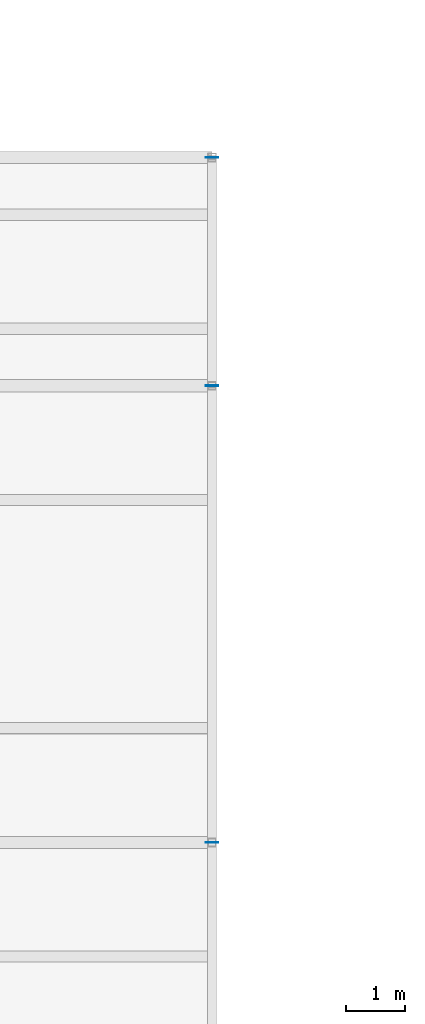
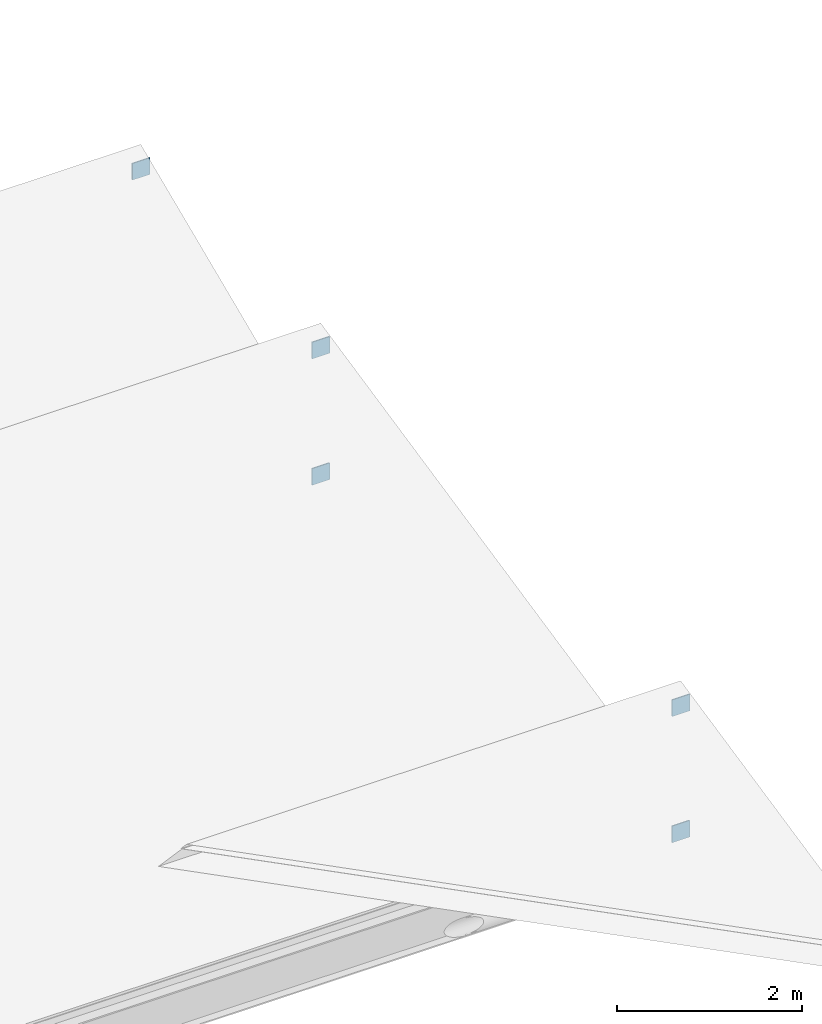
# One storey, part 60 of 89: 5 plates.
"""IFC4 building model written with IfcOpenShell, lengths in metres."""

from ifc_helpers import new_model, si_unit, direction, frame, origin, origin_2d, place, context, subcontext, project, spatial, rectangle, extrude, material, layer, layer_set, type_object, element, save


model = new_model("IFC4")

# Units and contexts
model_context = context("Model", 3, precision=1e-05, world=origin(), true_north=direction((0.0, 1.0)))
body_context = subcontext(model_context, "Body", "Model", "MODEL_VIEW")
ifc_project = project(units=[si_unit("LENGTHUNIT", "METRE"), si_unit("AREAUNIT", "SQUARE_METRE"), si_unit("VOLUMEUNIT", "CUBIC_METRE"), si_unit("PLANEANGLEUNIT", "RADIAN"), si_unit("MASSUNIT", "GRAM", prefix="KILO")], contexts=[model_context])

# Site, building, storey
site_placement = place(None, origin())
site = spatial("IfcSite", under=ifc_project, at=site_placement, CompositionType="ELEMENT")
building_placement = place(site_placement, origin())
building = spatial("IfcBuilding", under=site, at=building_placement, Name="Celorna Specialist Clinic", CompositionType="ELEMENT")
storey_placement = place(building_placement, frame((0.0, 0.0, 14.10009765625)))
storey = spatial("IfcBuildingStorey", under=building, at=storey_placement, Name="L03", CompositionType="ELEMENT", Elevation=14.10009765625)

# Plates
ifc_material = material(Name="Steel S355", Category="steel")
ifc_layer = layer(ifc_material, 0.01611328125, Name="Steel S355")
ifc_layer_set = layer_set([ifc_layer], Name="Steel S355")
plate_type = type_object("IfcPlateType", Name="EP-04", PredefinedType="SHEET", material=ifc_layer_set)
for number, where, z_axis, x_axis, name in (
    (1, (39.0, 50.699951171875, 1.35791015625), (0.0, 0.0, 1.0), (1.0, 0.0, 0.0), "Rafter chord cap plate ROOF-V2-SAW-2"),
    (2, (39.0, 50.699951171875, -0.31201171875), (0.0, 0.0, 1.0), (1.0, 0.0, 0.0), "Rafter chord cap plate ROOF-V2-SAW-3"),
    (3, (39.0, 58.5, 1.35791015625), (0.0, 0.0, 1.0), (1.0, 0.0, 0.0), "Rafter chord cap plate ROOF-V2-SAW-3"),
    (4, (39.0, 58.5, -0.31201171875), (0.0, 0.0, 1.0), (1.0, 0.0, 0.0), "Rafter chord cap plate ROOF-V2-SAW-4"),
    (5, (39.0, 62.39990234375, 1.35791015625), (0.0, 0.0, 1.0), (1.0, 0.0, 0.0), "Rafter chord cap plate ROOF-V2-SAW-4"),
):
    element("IfcPlate", number, at=place(storey_placement, frame(where, z_axis=z_axis, x_axis=x_axis)), inside=storey, type_object=plate_type, Name=name, PredefinedType="SHEET", context=body_context, shape_type="SweptSolid", body=[
        extrude(rectangle(XDim=0.219970703125, YDim=0.013916015625, at=origin_2d()), origin(), (0.0, 0.0, 1.0), 0.219970703125),
    ])

save(model, "model.ifc")
